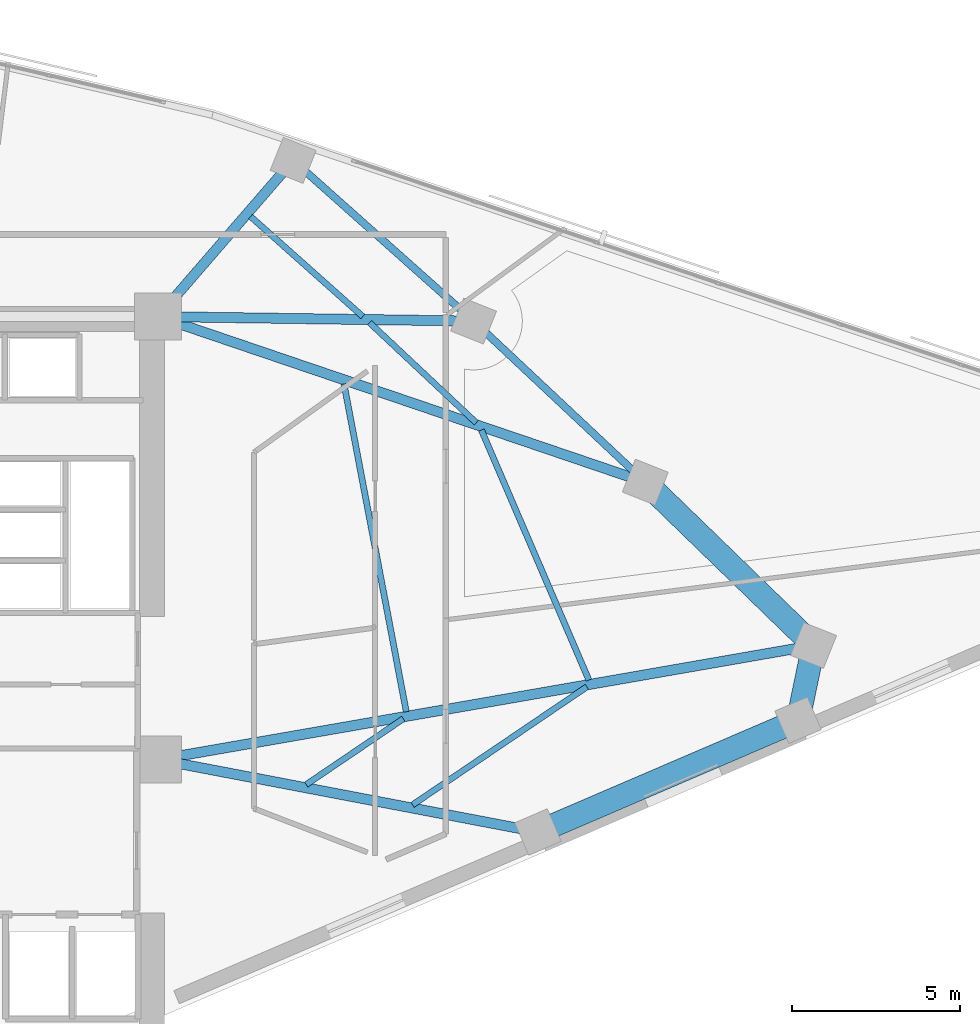
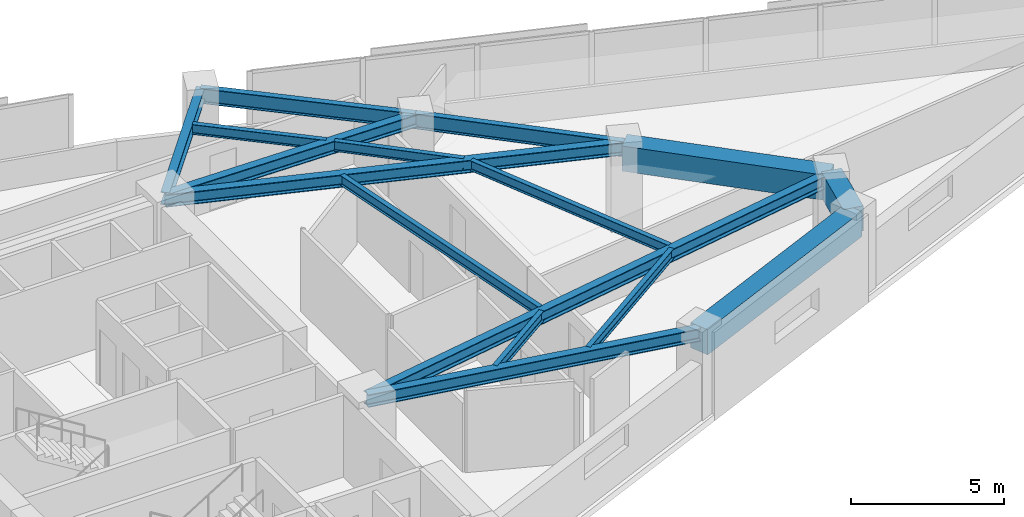
# One storey, part 3 of 14: 16 beams.
"""IFC4 building model written with IfcOpenShell, lengths in metres."""

from ifc_helpers import new_model, si_unit, direction, frame, origin, origin_2d, place, context, subcontext, project, spatial, rectangle, i_section, extrude, material, material_profile, profile_set, type_object, element, save


model = new_model("IFC4")

# Units and contexts
model_context = context("Model", 3, precision=1e-05, world=origin(), true_north=direction((0.0, 1.0)))
body_context = subcontext(model_context, "Body", "Model", "MODEL_VIEW")
ifc_project = project(units=[si_unit("LENGTHUNIT", "METRE"), si_unit("AREAUNIT", "SQUARE_METRE"), si_unit("VOLUMEUNIT", "CUBIC_METRE"), si_unit("PLANEANGLEUNIT", "RADIAN"), si_unit("MASSUNIT", "GRAM", prefix="KILO")], contexts=[model_context])

# Site, building, storey
site_placement = place(None, origin())
site = spatial("IfcSite", under=ifc_project, at=site_placement, CompositionType="ELEMENT")
building_placement = place(site_placement, origin())
building = spatial("IfcBuilding", under=site, at=building_placement, Name="Narakoshi Arena Tower", CompositionType="ELEMENT")
storey_placement = place(building_placement, frame((0.0, 0.0, 189.659912109375)))
storey = spatial("IfcBuildingStorey", under=building, at=storey_placement, Name="L51", CompositionType="ELEMENT", Elevation=189.659912109375)

# Beams
ifc_material_1 = material(Name="Concrete C60/75", Category="concrete")
ifc_material_profile_1 = material_profile(ifc_material_1, rectangle(XDim=0.699951171875, YDim=1.0, at=origin_2d()), Name="RCB700x1000")
ifc_profile_set_1 = profile_set([ifc_material_profile_1], Name="Concrete C60/75")
beam_type_1 = type_object("IfcBeamType", Name="BM-CPL-1000", PredefinedType="BEAM", material=ifc_profile_set_1)
beam_1_placement = place(storey_placement, frame((96.830078125, 41.2001953125, 2.760009765625), z_axis=(0.918792947441, 0.394739812703, 0.0), x_axis=(-0.394739812703, 0.918792947441, 0.0)))
element("IfcBeam", 1, at=beam_1_placement, inside=storey, type_object=beam_type_1, Name="L51 Perimeter Edge Girder 01", PredefinedType="BEAM", context=body_context, shape_type="SweptSolid", body=[
    extrude(rectangle(XDim=0.699951171875, YDim=1.0, at=origin_2d()), origin(), (0.0, 0.0, 1.0), 8.401611328125),
])
beam_2_placement = place(storey_placement, frame((104.54931640625, 44.5166015625, 2.760009765625), z_axis=(0.203000450605, 0.979178644096, 0.0), x_axis=(-0.979178644096, 0.203000450605, 0.0)))
element("IfcBeam", 2, at=beam_2_placement, inside=storey, type_object=beam_type_1, Name="L51 Perimeter Edge Girder 02", PredefinedType="BEAM", context=body_context, shape_type="SweptSolid", body=[
    extrude(rectangle(XDim=0.699951171875, YDim=1.0, at=origin_2d()), origin(), (0.0, 0.0, 1.0), 2.26953125),
])
beam_3_placement = place(storey_placement, frame((105.010009765625, 46.73876953125, 2.760009765625), z_axis=(-0.717826032278, 0.696222512839, 0.0), x_axis=(-0.696222512839, -0.717826032278, 0.0)))
element("IfcBeam", 3, at=beam_3_placement, inside=storey, type_object=beam_type_1, Name="L51 Perimeter Edge Girder 03", PredefinedType="BEAM", context=body_context, shape_type="SweptSolid", body=[
    extrude(rectangle(XDim=0.699951171875, YDim=1.0, at=origin_2d()), origin(), (0.0, 0.0, 1.0), 6.96142578125),
])
ifc_material_2 = material(Name="Structural steel S355J2", Category="steel")
ifc_material_profile_2 = material_profile(ifc_material_2, i_section(OverallWidth=0.219970703125, OverallDepth=0.60009765625, WebThickness=0.011962890625, FlangeThickness=0.01904296875, FilletRadius=0.02392578125, at=origin_2d()), Name="IPE600")
ifc_profile_set_2 = profile_set([ifc_material_profile_2], Name="Structural steel S355J2")
beam_type_2 = type_object("IfcBeamType", Name="BM-EDGE-600", PredefinedType="BEAM", material=ifc_profile_set_2)
beam_4_placement = place(storey_placement, frame((100.012939453125, 51.58544921875, 2.960205078125), z_axis=(-0.729413011888, 0.684073576517, 0.0), x_axis=(-0.684073576517, -0.729413011888, 0.0)))
element("IfcBeam", 4, at=beam_4_placement, inside=storey, type_object=beam_type_2, Name="L51 Perimeter Edge Girder 04", PredefinedType="BEAM", context=body_context, shape_type="SweptSolid", body=[
    extrude(i_section(OverallWidth=0.219970703125, OverallDepth=0.60009765625, WebThickness=0.011962890625, FlangeThickness=0.01904296875, FilletRadius=0.02392578125, at=origin_2d()), origin(), (0.0, 0.0, 1.0), 6.9892578125),
])
beam_5_placement = place(storey_placement, frame((94.914794921875, 56.36669921875, 2.960205078125), z_axis=(-0.746743797071, 0.665111796269, 0.0), x_axis=(-0.665111796269, -0.746743797071, 0.0)))
element("IfcBeam", 5, at=beam_5_placement, inside=storey, type_object=beam_type_2, Name="L51 Perimeter Edge Girder 05", PredefinedType="BEAM", context=body_context, shape_type="SweptSolid", body=[
    extrude(i_section(OverallWidth=0.219970703125, OverallDepth=0.60009765625, WebThickness=0.011962890625, FlangeThickness=0.01904296875, FilletRadius=0.02392578125, at=origin_2d()), origin(), (0.0, 0.0, 1.0), 7.168701171875),
])
ifc_material_profile_3 = material_profile(ifc_material_2, i_section(OverallWidth=0.300048828125, OverallDepth=0.5, WebThickness=0.014404296875, FlangeThickness=0.028076171875, FilletRadius=0.027099609375, at=origin_2d()), Name="HE500B")
ifc_profile_set_3 = profile_set([ifc_material_profile_3], Name="Structural steel S355J2")
beam_type_3 = type_object("IfcBeamType", Name="BM-PRI-500", PredefinedType="BEAM", material=ifc_profile_set_3)
beam_6_placement = place(storey_placement, frame((85.550048828125, 43.35009765625, 3.010009765625), z_axis=(0.982317345732, -0.187223482166, 0.0), x_axis=(0.187223482166, 0.982317345732, 0.0)))
element("IfcBeam", 6, at=beam_6_placement, inside=storey, type_object=beam_type_3, Name="L51 Radial Primary Floor Girder 01", PredefinedType="BEAM", context=body_context, shape_type="SweptSolid", body=[
    extrude(i_section(OverallWidth=0.300048828125, OverallDepth=0.5, WebThickness=0.014404296875, FlangeThickness=0.028076171875, FilletRadius=0.027099609375, at=origin_2d()), origin(), (0.0, 0.0, 1.0), 11.483154296875),
])
beam_7_placement = place(storey_placement, frame((85.550048828125, 43.35009765625, 3.010009765625), z_axis=(0.985174720478, 0.171553986052, 0.0), x_axis=(-0.171553986052, 0.985174720478, 0.0)))
element("IfcBeam", 7, at=beam_7_placement, inside=storey, type_object=beam_type_3, Name="L51 Radial Primary Floor Girder 03", PredefinedType="BEAM", context=body_context, shape_type="SweptSolid", body=[
    extrude(i_section(OverallWidth=0.300048828125, OverallDepth=0.5, WebThickness=0.014404296875, FlangeThickness=0.028076171875, FilletRadius=0.027099609375, at=origin_2d()), origin(), (0.0, 0.0, 1.0), 19.752685546875),
])
beam_8_placement = place(storey_placement, frame((85.550048828125, 56.5, 3.010009765625), z_axis=(0.94682923499, -0.321736537818, 0.0), x_axis=(0.321736537818, 0.94682923499, 0.0)))
element("IfcBeam", 8, at=beam_8_placement, inside=storey, type_object=beam_type_3, Name="L51 Radial Primary Floor Girder 04", PredefinedType="BEAM", context=body_context, shape_type="SweptSolid", body=[
    extrude(i_section(OverallWidth=0.300048828125, OverallDepth=0.5, WebThickness=0.014404296875, FlangeThickness=0.028076171875, FilletRadius=0.027099609375, at=origin_2d()), origin(), (0.0, 0.0, 1.0), 15.275146484375),
])
beam_9_placement = place(storey_placement, frame((85.550048828125, 56.5, 3.010009765625), z_axis=(0.999898707477, -0.014232876956, 0.0), x_axis=(0.014232876956, 0.999898707477, 0.0)))
element("IfcBeam", 9, at=beam_9_placement, inside=storey, type_object=beam_type_3, Name="L51 Radial Primary Floor Girder 05", PredefinedType="BEAM", context=body_context, shape_type="SweptSolid", body=[
    extrude(i_section(OverallWidth=0.300048828125, OverallDepth=0.5, WebThickness=0.014404296875, FlangeThickness=0.028076171875, FilletRadius=0.027099609375, at=origin_2d()), origin(), (0.0, 0.0, 1.0), 9.36572265625),
])
beam_10_placement = place(storey_placement, frame((85.550048828125, 56.5, 3.010009765625), z_axis=(0.654434553487, 0.756118651537, 0.0), x_axis=(-0.756118651537, 0.654434553487, 0.0)))
element("IfcBeam", 10, at=beam_10_placement, inside=storey, type_object=beam_type_3, Name="L51 Radial Primary Floor Girder 06", PredefinedType="BEAM", context=body_context, shape_type="SweptSolid", body=[
    extrude(i_section(OverallWidth=0.300048828125, OverallDepth=0.5, WebThickness=0.014404296875, FlangeThickness=0.028076171875, FilletRadius=0.027099609375, at=origin_2d()), origin(), (0.0, 0.0, 1.0), 6.129638671875),
])
ifc_material_profile_4 = material_profile(ifc_material_2, i_section(OverallWidth=0.179931640625, OverallDepth=0.39990234375, WebThickness=0.008544921875, FlangeThickness=0.013427734375, FilletRadius=0.02099609375, at=origin_2d()), Name="IPE400")
ifc_profile_set_4 = profile_set([ifc_material_profile_4], Name="Structural steel S355J2")
beam_type_4 = type_object("IfcBeamType", Name="BM-SEC-400", PredefinedType="JOIST", material=ifc_profile_set_4)
beam_11_placement = place(storey_placement, frame((89.9482421875, 42.608642578125, 3.06005859375), z_axis=(0.828028888203, 0.560685437924, 0.0), x_axis=(-0.560685437924, 0.828028888203, 0.0)))
element("IfcBeam", 11, at=beam_11_placement, inside=storey, type_object=beam_type_4, Name="L51 Composite Secondary Floor Joist 01", PredefinedType="JOIST", context=body_context, shape_type="SweptSolid", body=[
    extrude(i_section(OverallWidth=0.179931640625, OverallDepth=0.39990234375, WebThickness=0.008544921875, FlangeThickness=0.013427734375, FilletRadius=0.02099609375, at=origin_2d()), origin(), (0.0, 0.0, 1.0), 3.48388671875),
])
beam_12_placement = place(storey_placement, frame((93.106689453125, 42.0068359375, 3.06005859375), z_axis=(0.828032186591, 0.560680566785, 0.0), x_axis=(-0.560680566785, 0.828032186591, 0.0)))
element("IfcBeam", 12, at=beam_12_placement, inside=storey, type_object=beam_type_4, Name="L51 Composite Secondary Floor Joist 02", PredefinedType="JOIST", context=body_context, shape_type="SweptSolid", body=[
    extrude(i_section(OverallWidth=0.179931640625, OverallDepth=0.39990234375, WebThickness=0.008544921875, FlangeThickness=0.013427734375, FilletRadius=0.02099609375, at=origin_2d()), origin(), (0.0, 0.0, 1.0), 6.249755859375),
])
beam_13_placement = place(storey_placement, frame((92.919677734375, 44.7705078125, 3.06005859375), z_axis=(-0.186663500969, 0.982423909219, 0.0), x_axis=(-0.982423909219, -0.186663500969, 0.0)))
element("IfcBeam", 13, at=beam_13_placement, inside=storey, type_object=beam_type_4, Name="L51 Composite Secondary Floor Joist 03", PredefinedType="JOIST", context=body_context, shape_type="SweptSolid", body=[
    extrude(i_section(OverallWidth=0.179931640625, OverallDepth=0.39990234375, WebThickness=0.008544921875, FlangeThickness=0.013427734375, FilletRadius=0.02099609375, at=origin_2d()), origin(), (0.0, 0.0, 1.0), 9.903564453125),
])
beam_14_placement = place(storey_placement, frame((98.340087890625, 45.710693359375, 3.06005859375), z_axis=(-0.395038717544, 0.918664471742, 0.0), x_axis=(-0.918664471742, -0.395038717544, 0.0)))
element("IfcBeam", 14, at=beam_14_placement, inside=storey, type_object=beam_type_4, Name="L51 Composite Secondary Floor Joist 04", PredefinedType="JOIST", context=body_context, shape_type="SweptSolid", body=[
    extrude(i_section(OverallWidth=0.179931640625, OverallDepth=0.39990234375, WebThickness=0.008544921875, FlangeThickness=0.013427734375, FilletRadius=0.02099609375, at=origin_2d()), origin(), (0.0, 0.0, 1.0), 8.07861328125),
])
beam_15_placement = place(storey_placement, frame((94.9970703125, 53.348876953125, 3.06005859375), z_axis=(-0.729453050593, 0.684030881598, 0.0), x_axis=(-0.684030881598, -0.729453050593, 0.0)))
element("IfcBeam", 15, at=beam_15_placement, inside=storey, type_object=beam_type_4, Name="L51 Composite Secondary Floor Joist 05", PredefinedType="JOIST", context=body_context, shape_type="SweptSolid", body=[
    extrude(i_section(OverallWidth=0.179931640625, OverallDepth=0.39990234375, WebThickness=0.008544921875, FlangeThickness=0.013427734375, FilletRadius=0.02099609375, at=origin_2d()), origin(), (0.0, 0.0, 1.0), 4.343017578125),
])
beam_16_placement = place(storey_placement, frame((91.6298828125, 56.501708984375, 3.06005859375), z_axis=(-0.746726556719, 0.665131152097, 0.0), x_axis=(-0.665131152097, -0.746726556719, 0.0)))
element("IfcBeam", 16, at=beam_16_placement, inside=storey, type_object=beam_type_4, Name="L51 Composite Secondary Floor Joist 06", PredefinedType="JOIST", context=body_context, shape_type="SweptSolid", body=[
    extrude(i_section(OverallWidth=0.179931640625, OverallDepth=0.39990234375, WebThickness=0.008544921875, FlangeThickness=0.013427734375, FilletRadius=0.02099609375, at=origin_2d()), origin(), (0.0, 0.0, 1.0), 4.461181640625),
])

save(model, "model.ifc")
